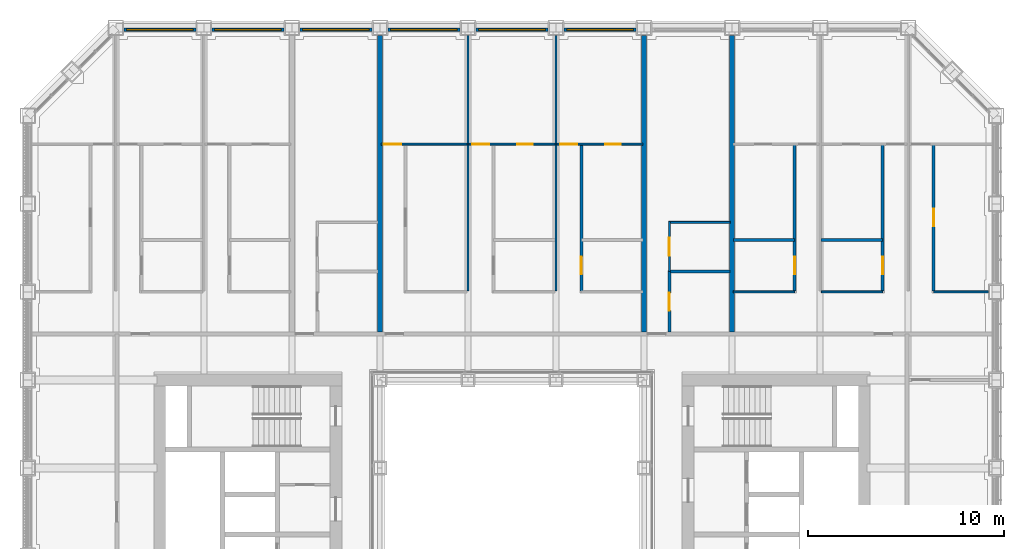
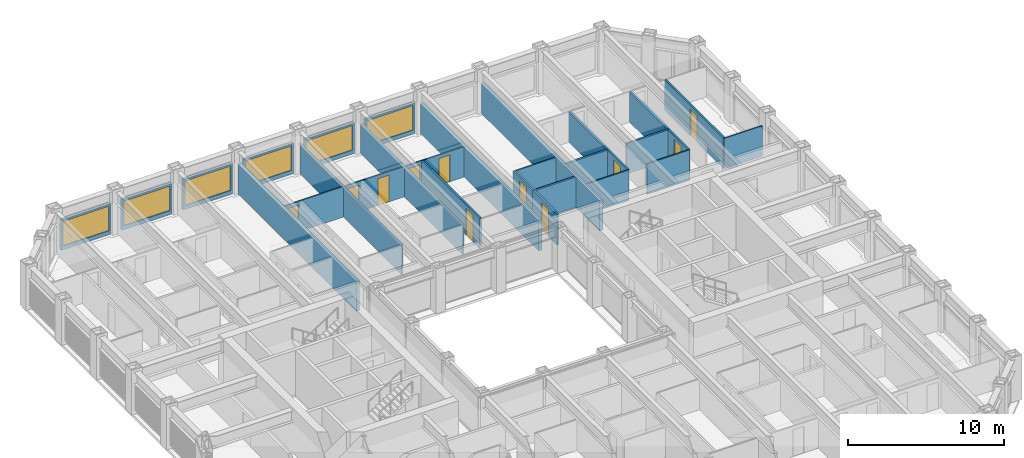
# One storey, part 14 of 20: 27 walls, 11 doors, 6 windows, 17 openings.
"""IFC4 building model written with IfcOpenShell, lengths in metres."""

from ifc_helpers import new_model, si_unit, direction, frame, frame_2d, origin, place, context, subcontext, project, spatial, rectangle, extrude, material, layer, layer_set, type_object, element, fill, save


model = new_model("IFC4")

# Units and contexts
model_context = context("Model", 3, precision=1e-05, world=origin(), true_north=direction((0.0, 1.0)))
body_context = subcontext(model_context, "Body", "Model", "MODEL_VIEW")
ifc_project = project(units=[si_unit("LENGTHUNIT", "METRE"), si_unit("AREAUNIT", "SQUARE_METRE"), si_unit("VOLUMEUNIT", "CUBIC_METRE"), si_unit("PLANEANGLEUNIT", "RADIAN"), si_unit("MASSUNIT", "GRAM", prefix="KILO")], contexts=[model_context])

# Site, building, storey
site_placement = place(None, origin())
site = spatial("IfcSite", under=ifc_project, at=site_placement, CompositionType="ELEMENT")
building_placement = place(site_placement, origin())
building = spatial("IfcBuilding", under=site, at=building_placement, Name="Msasa Ring Tower", CompositionType="ELEMENT")
storey_placement = place(building_placement, frame((0.0, 0.0, 58.0)))
storey = spatial("IfcBuildingStorey", under=building, at=storey_placement, Name="L14", CompositionType="ELEMENT", Elevation=58.0)

# Wall, opening, window
ifc_material_1 = material(Name="Terracotta rainscreen on blockwork", Category="masonry")
ifc_layer_1 = layer(ifc_material_1, 0.199951171875)
ifc_layer_set_1 = layer_set([ifc_layer_1], Name="FW1 TERRACOTTA-LINED INFILL BAY WALL 200")
wall_type_1 = type_object("IfcWallType", Name="FW1 TERRACOTTA-LINED INFILL BAY WALL 200", PredefinedType="SOLIDWALL", material=ifc_layer_set_1)
wall_1_placement = place(storey_placement, frame((-19.844970703125, 24.64990234375, 0.0), z_axis=(0.0, 0.0, 1.0), x_axis=(1.0, 0.0, 0.0)))
wall_1 = element("IfcWall", 1, at=wall_1_placement, inside=storey, type_object=wall_type_1, Name="Infill bay wall N L14 22", PredefinedType="SOLIDWALL", context=body_context, shape_type="SweptSolid", body=[
    extrude(rectangle(XDim=3.68994140625, YDim=0.199951171875, at=frame_2d((1.844970703125, 0.0))), origin(), (0.0, 0.0, 1.0), 2.37890625),
])
opening_1_placement = place(wall_1_placement, frame((0.14501953125, 0.0, 0.300048828125)))
opening_1 = element("IfcOpeningElement", 2, at=opening_1_placement, cuts=wall_1, Name="Opening WN1", PredefinedType="OPENING", context=body_context, shape_type="SweptSolid", body=[
    extrude(rectangle(XDim=3.39990234375, YDim=1.928955078125, at=frame_2d((1.699951171875, 0.96435546875))), frame((0.0, 0.10986328125, 0.0), z_axis=(0.0, -1.0, 0.0), x_axis=(1.0, 0.0, 0.0)), (0.0, 0.0, 1.0), 0.219970703125),
])
ifc_material_2 = material(Name="Aluminium frame with clear glass", Category="aluminium")
window_type = type_object("IfcWindowType", Name="WN1 RESIDENCE WINDOW 3400x1929", PartitioningType="SINGLE_PANEL", PredefinedType="WINDOW", material=ifc_material_2)
window_1_placement = place(opening_1_placement, origin())
window_1 = element("IfcWindow", 3, at=window_1_placement, inside=storey, type_object=window_type, Name="Window N L14 22", OverallHeight=1.928955078125, OverallWidth=3.39990234375, PartitioningType="SINGLE_PANEL", PredefinedType="WINDOW", context=body_context, shape_type="SweptSolid", body=[
    extrude(rectangle(XDim=3.39990234375, YDim=1.928955078125, at=frame_2d((1.699951171875, 0.96435546875))), frame((0.0, 0.030029296875, 0.0), z_axis=(0.0, -1.0, 0.0), x_axis=(1.0, 0.0, 0.0)), (0.0, 0.0, 1.0), 0.06005859375),
])
fill(opening_1, window_1)

wall_2_placement = place(storey_placement, frame((-15.344970703125, 24.64990234375, 0.0), z_axis=(0.0, 0.0, 1.0), x_axis=(1.0, 0.0, 0.0)))
wall_2 = element("IfcWall", 4, at=wall_2_placement, inside=storey, type_object=wall_type_1, Name="Infill bay wall N L14 23", PredefinedType="SOLIDWALL", context=body_context, shape_type="SweptSolid", body=[
    extrude(rectangle(XDim=3.68994140625, YDim=0.199951171875, at=frame_2d((1.844970703125, 0.0))), origin(), (0.0, 0.0, 1.0), 2.37890625),
])
opening_2_placement = place(wall_2_placement, frame((0.14501953125, 0.0, 0.300048828125)))
opening_2 = element("IfcOpeningElement", 5, at=opening_2_placement, cuts=wall_2, Name="Opening WN1", PredefinedType="OPENING", context=body_context, shape_type="SweptSolid", body=[
    extrude(rectangle(XDim=3.39990234375, YDim=1.928955078125, at=frame_2d((1.699951171875, 0.96435546875))), frame((0.0, 0.10986328125, 0.0), z_axis=(0.0, -1.0, 0.0), x_axis=(1.0, 0.0, 0.0)), (0.0, 0.0, 1.0), 0.219970703125),
])
window_2_placement = place(opening_2_placement, origin())
window_2 = element("IfcWindow", 6, at=window_2_placement, inside=storey, type_object=window_type, Name="Window N L14 23", OverallHeight=1.928955078125, OverallWidth=3.39990234375, PartitioningType="SINGLE_PANEL", PredefinedType="WINDOW", context=body_context, shape_type="SweptSolid", body=[
    extrude(rectangle(XDim=3.39990234375, YDim=1.928955078125, at=frame_2d((1.699951171875, 0.96435546875))), frame((0.0, 0.030029296875, 0.0), z_axis=(0.0, -1.0, 0.0), x_axis=(1.0, 0.0, 0.0)), (0.0, 0.0, 1.0), 0.06005859375),
])
fill(opening_2, window_2)

wall_3_placement = place(storey_placement, frame((-10.844970703125, 24.64990234375, 0.0), z_axis=(0.0, 0.0, 1.0), x_axis=(1.0, 0.0, 0.0)))
wall_3 = element("IfcWall", 7, at=wall_3_placement, inside=storey, type_object=wall_type_1, Name="Infill bay wall N L14 24", PredefinedType="SOLIDWALL", context=body_context, shape_type="SweptSolid", body=[
    extrude(rectangle(XDim=3.68994140625, YDim=0.199951171875, at=frame_2d((1.844970703125, 0.0))), origin(), (0.0, 0.0, 1.0), 2.37890625),
])
opening_3_placement = place(wall_3_placement, frame((0.14501953125, 0.0, 0.300048828125)))
opening_3 = element("IfcOpeningElement", 8, at=opening_3_placement, cuts=wall_3, Name="Opening WN1", PredefinedType="OPENING", context=body_context, shape_type="SweptSolid", body=[
    extrude(rectangle(XDim=3.39990234375, YDim=1.928955078125, at=frame_2d((1.699951171875, 0.96435546875))), frame((0.0, 0.10986328125, 0.0), z_axis=(0.0, -1.0, 0.0), x_axis=(1.0, 0.0, 0.0)), (0.0, 0.0, 1.0), 0.219970703125),
])
window_3_placement = place(opening_3_placement, origin())
window_3 = element("IfcWindow", 9, at=window_3_placement, inside=storey, type_object=window_type, Name="Window N L14 24", OverallHeight=1.928955078125, OverallWidth=3.39990234375, PartitioningType="SINGLE_PANEL", PredefinedType="WINDOW", context=body_context, shape_type="SweptSolid", body=[
    extrude(rectangle(XDim=3.39990234375, YDim=1.928955078125, at=frame_2d((1.699951171875, 0.96435546875))), frame((0.0, 0.030029296875, 0.0), z_axis=(0.0, -1.0, 0.0), x_axis=(1.0, 0.0, 0.0)), (0.0, 0.0, 1.0), 0.06005859375),
])
fill(opening_3, window_3)

wall_4_placement = place(storey_placement, frame((-6.344970703125, 24.64990234375, 0.0), z_axis=(0.0, 0.0, 1.0), x_axis=(1.0, 0.0, 0.0)))
wall_4 = element("IfcWall", 10, at=wall_4_placement, inside=storey, type_object=wall_type_1, Name="Infill bay wall N L14 25", PredefinedType="SOLIDWALL", context=body_context, shape_type="SweptSolid", body=[
    extrude(rectangle(XDim=3.68994140625, YDim=0.199951171875, at=frame_2d((1.844970703125, 0.0))), origin(), (0.0, 0.0, 1.0), 2.37890625),
])
opening_4_placement = place(wall_4_placement, frame((0.14501953125, 0.0, 0.300048828125)))
opening_4 = element("IfcOpeningElement", 11, at=opening_4_placement, cuts=wall_4, Name="Opening WN1", PredefinedType="OPENING", context=body_context, shape_type="SweptSolid", body=[
    extrude(rectangle(XDim=3.39990234375, YDim=1.928955078125, at=frame_2d((1.699951171875, 0.96435546875))), frame((0.0, 0.10986328125, 0.0), z_axis=(0.0, -1.0, 0.0), x_axis=(1.0, 0.0, 0.0)), (0.0, 0.0, 1.0), 0.219970703125),
])
window_4_placement = place(opening_4_placement, origin())
window_4 = element("IfcWindow", 12, at=window_4_placement, inside=storey, type_object=window_type, Name="Window N L14 25", OverallHeight=1.928955078125, OverallWidth=3.39990234375, PartitioningType="SINGLE_PANEL", PredefinedType="WINDOW", context=body_context, shape_type="SweptSolid", body=[
    extrude(rectangle(XDim=3.39990234375, YDim=1.928955078125, at=frame_2d((1.699951171875, 0.96435546875))), frame((0.0, 0.030029296875, 0.0), z_axis=(0.0, -1.0, 0.0), x_axis=(1.0, 0.0, 0.0)), (0.0, 0.0, 1.0), 0.06005859375),
])
fill(opening_4, window_4)

wall_5_placement = place(storey_placement, frame((-1.844970703125, 24.64990234375, 0.0), z_axis=(0.0, 0.0, 1.0), x_axis=(1.0, 0.0, 0.0)))
wall_5 = element("IfcWall", 13, at=wall_5_placement, inside=storey, type_object=wall_type_1, Name="Infill bay wall N L14 26", PredefinedType="SOLIDWALL", context=body_context, shape_type="SweptSolid", body=[
    extrude(rectangle(XDim=3.68994140625, YDim=0.199951171875, at=frame_2d((1.844970703125, 0.0))), origin(), (0.0, 0.0, 1.0), 2.37890625),
])
opening_5_placement = place(wall_5_placement, frame((0.14501953125, 0.0, 0.300048828125)))
opening_5 = element("IfcOpeningElement", 14, at=opening_5_placement, cuts=wall_5, Name="Opening WN1", PredefinedType="OPENING", context=body_context, shape_type="SweptSolid", body=[
    extrude(rectangle(XDim=3.39990234375, YDim=1.928955078125, at=frame_2d((1.699951171875, 0.96435546875))), frame((0.0, 0.10986328125, 0.0), z_axis=(0.0, -1.0, 0.0), x_axis=(1.0, 0.0, 0.0)), (0.0, 0.0, 1.0), 0.219970703125),
])
window_5_placement = place(opening_5_placement, origin())
window_5 = element("IfcWindow", 15, at=window_5_placement, inside=storey, type_object=window_type, Name="Window N L14 26", OverallHeight=1.928955078125, OverallWidth=3.39990234375, PartitioningType="SINGLE_PANEL", PredefinedType="WINDOW", context=body_context, shape_type="SweptSolid", body=[
    extrude(rectangle(XDim=3.39990234375, YDim=1.928955078125, at=frame_2d((1.699951171875, 0.96435546875))), frame((0.0, 0.030029296875, 0.0), z_axis=(0.0, -1.0, 0.0), x_axis=(1.0, 0.0, 0.0)), (0.0, 0.0, 1.0), 0.06005859375),
])
fill(opening_5, window_5)

wall_6_placement = place(storey_placement, frame((2.655029296875, 24.64990234375, 0.0), z_axis=(0.0, 0.0, 1.0), x_axis=(1.0, 0.0, 0.0)))
wall_6 = element("IfcWall", 16, at=wall_6_placement, inside=storey, type_object=wall_type_1, Name="Infill bay wall N L14 27", PredefinedType="SOLIDWALL", context=body_context, shape_type="SweptSolid", body=[
    extrude(rectangle(XDim=3.68994140625, YDim=0.199951171875, at=frame_2d((1.844970703125, 0.0))), origin(), (0.0, 0.0, 1.0), 2.37890625),
])
opening_6_placement = place(wall_6_placement, frame((0.14501953125, 0.0, 0.300048828125)))
opening_6 = element("IfcOpeningElement", 17, at=opening_6_placement, cuts=wall_6, Name="Opening WN1", PredefinedType="OPENING", context=body_context, shape_type="SweptSolid", body=[
    extrude(rectangle(XDim=3.39990234375, YDim=1.928955078125, at=frame_2d((1.699951171875, 0.96435546875))), frame((0.0, 0.10986328125, 0.0), z_axis=(0.0, -1.0, 0.0), x_axis=(1.0, 0.0, 0.0)), (0.0, 0.0, 1.0), 0.219970703125),
])
window_6_placement = place(opening_6_placement, origin())
window_6 = element("IfcWindow", 18, at=window_6_placement, inside=storey, type_object=window_type, Name="Window N L14 27", OverallHeight=1.928955078125, OverallWidth=3.39990234375, PartitioningType="SINGLE_PANEL", PredefinedType="WINDOW", context=body_context, shape_type="SweptSolid", body=[
    extrude(rectangle(XDim=3.39990234375, YDim=1.928955078125, at=frame_2d((1.699951171875, 0.96435546875))), frame((0.0, 0.030029296875, 0.0), z_axis=(0.0, -1.0, 0.0), x_axis=(1.0, 0.0, 0.0)), (0.0, 0.0, 1.0), 0.06005859375),
])
fill(opening_6, window_6)

# Wall, opening, door
ifc_material_3 = material(Name="Gypsum board on steel studs", Category="steel")
ifc_layer_2 = layer(ifc_material_3, 0.10009765625)
ifc_layer_set_2 = layer_set([ifc_layer_2], Name="PT2 STUD PARTITION 100")
wall_type_2 = type_object("IfcWallType", Name="PT2 STUD PARTITION 100", PredefinedType="PARTITIONING", material=ifc_layer_set_2)
wall_7_placement = place(storey_placement, frame((-6.68994140625, 18.800048828125, 0.0), z_axis=(0.0, 0.0, 1.0), x_axis=(1.0, 0.0, 0.0)))
wall_7 = element("IfcWall", 19, at=wall_7_placement, inside=storey, type_object=wall_type_2, Name="Partition L14-UN02SY0", PredefinedType="PARTITIONING", context=body_context, shape_type="SweptSolid", body=[
    extrude(rectangle(XDim=4.389892578125, YDim=0.10009765625, at=frame_2d((2.19482421875, 0.0))), origin(), (0.0, 0.0, 1.0), 2.373291015625),
])
opening_7_placement = place(wall_7_placement, frame((0.139892578125, 0.0, 0.0)))
opening_7 = element("IfcOpeningElement", 20, at=opening_7_placement, cuts=wall_7, Name="Opening RD-006", PredefinedType="OPENING", context=body_context, shape_type="SweptSolid", body=[
    extrude(rectangle(XDim=0.89990234375, YDim=2.10009765625, at=frame_2d((0.449951171875, 1.050048828125))), frame((0.0, 0.06005859375, 0.0), z_axis=(0.0, -1.0, 0.0), x_axis=(1.0, 0.0, 0.0)), (0.0, 0.0, 1.0), 0.1201171875),
])
ifc_material_4 = material(Name="Timber door leaf in a steel frame", Category="steel")
door_type_1 = type_object("IfcDoorType", Name="D22 INTERNAL HALL DOOR 900x2100", OperationType="SINGLE_SWING_LEFT", PredefinedType="DOOR", material=ifc_material_4)
door_1_placement = place(opening_7_placement, origin())
door_1 = element("IfcDoor", 21, at=door_1_placement, inside=storey, type_object=door_type_1, Name="Door L14-UN02L", OperationType="SINGLE_SWING_LEFT", OverallHeight=2.10009765625, OverallWidth=0.89990234375, PredefinedType="DOOR", context=body_context, shape_type="SweptSolid", body=[
    extrude(rectangle(XDim=0.89990234375, YDim=2.10009765625, at=frame_2d((0.449951171875, 1.050048828125))), frame((0.0, 0.02490234375, 0.0), z_axis=(0.0, -1.0, 0.0), x_axis=(1.0, 0.0, 0.0)), (0.0, 0.0, 1.0), 0.050048828125),
])
fill(opening_7, door_1)

# Wall
wall_8_placement = place(storey_placement, frame((-2.25, 11.300048828125, 0.0), z_axis=(0.0, 0.0, 1.0), x_axis=(0.0, 1.0, 0.0)))
element("IfcWall", 22, at=wall_8_placement, inside=storey, type_object=wall_type_2, Name="Partition L14-UN02P1", PredefinedType="PARTITIONING", context=body_context, shape_type="SweptSolid", body=[
    extrude(rectangle(XDim=13.050048828125, YDim=0.10009765625, at=frame_2d((6.52490234375, 0.0))), origin(), (0.0, 0.0, 1.0), 2.373291015625),
])

# Wall, openings, doors
wall_9_placement = place(storey_placement, frame((-2.199951171875, 18.800048828125, 0.0), z_axis=(0.0, 0.0, 1.0), x_axis=(1.0, 0.0, 0.0)))
wall_9 = element("IfcWall", 23, at=wall_9_placement, inside=storey, type_object=wall_type_2, Name="Partition L14-UN02SY1", PredefinedType="PARTITIONING", context=body_context, shape_type="SweptSolid", body=[
    extrude(rectangle(XDim=4.39990234375, YDim=0.10009765625, at=frame_2d((2.199951171875, 0.0))), origin(), (0.0, 0.0, 1.0), 2.373291015625),
])
opening_8_placement = place(wall_9_placement, frame((0.175048828125, 0.0, 0.0)))
opening_8 = element("IfcOpeningElement", 24, at=opening_8_placement, cuts=wall_9, Name="Opening RD-007", PredefinedType="OPENING", context=body_context, shape_type="SweptSolid", body=[
    extrude(rectangle(XDim=0.85009765625, YDim=2.10009765625, at=frame_2d((0.425048828125, 1.050048828125))), frame((0.0, 0.06005859375, 0.0), z_axis=(0.0, -1.0, 0.0), x_axis=(1.0, 0.0, 0.0)), (0.0, 0.0, 1.0), 0.1201171875),
])
opening_9_placement = place(wall_9_placement, frame((2.4599609375, 0.0, 0.0)))
opening_9 = element("IfcOpeningElement", 25, at=opening_9_placement, cuts=wall_9, Name="Opening RD-008", PredefinedType="OPENING", context=body_context, shape_type="SweptSolid", body=[
    extrude(rectangle(XDim=0.800048828125, YDim=2.10009765625, at=frame_2d((0.39990234375, 1.050048828125))), frame((0.0, 0.06005859375, 0.0), z_axis=(0.0, -1.0, 0.0), x_axis=(1.0, 0.0, 0.0)), (0.0, 0.0, 1.0), 0.1201171875),
])
ifc_material_5 = material(Name="Timber door leaf in a steel frame", Category="steel")
door_type_2 = type_object("IfcDoorType", Name="D14 BEDROOM DOOR 850x2100", OperationType="SINGLE_SWING_LEFT", PredefinedType="DOOR", material=ifc_material_5)
door_2_placement = place(opening_8_placement, origin())
door_2 = element("IfcDoor", 26, at=door_2_placement, inside=storey, type_object=door_type_2, Name="Door L14-UN02R1", OperationType="SINGLE_SWING_LEFT", OverallHeight=2.10009765625, OverallWidth=0.85009765625, PredefinedType="DOOR", context=body_context, shape_type="SweptSolid", body=[
    extrude(rectangle(XDim=0.85009765625, YDim=2.10009765625, at=frame_2d((0.425048828125, 1.050048828125))), frame((0.0, 0.02490234375, 0.0), z_axis=(0.0, -1.0, 0.0), x_axis=(1.0, 0.0, 0.0)), (0.0, 0.0, 1.0), 0.050048828125),
])
fill(opening_8, door_2)
ifc_material_6 = material(Name="Timber door leaf in a steel frame", Category="steel")
door_type_3 = type_object("IfcDoorType", Name="D60 DRESSING ROOM DOOR 800x2100", OperationType="SINGLE_SWING_LEFT", PredefinedType="DOOR", material=ifc_material_6)
door_3_placement = place(opening_9_placement, origin())
door_3 = element("IfcDoor", 27, at=door_3_placement, inside=storey, type_object=door_type_3, Name="Door L14-UN02W1", OperationType="SINGLE_SWING_RIGHT", OverallHeight=2.10009765625, OverallWidth=0.800048828125, PredefinedType="DOOR", context=body_context, shape_type="SweptSolid", body=[
    extrude(rectangle(XDim=0.800048828125, YDim=2.10009765625, at=frame_2d((0.39990234375, 1.050048828125))), frame((0.0, 0.02490234375, 0.0), z_axis=(0.0, -1.0, 0.0), x_axis=(1.0, 0.0, 0.0)), (0.0, 0.0, 1.0), 0.050048828125),
])
fill(opening_9, door_3)

# Wall
wall_10_placement = place(storey_placement, frame((2.25, 11.300048828125, 0.0), z_axis=(0.0, 0.0, 1.0), x_axis=(0.0, 1.0, 0.0)))
element("IfcWall", 28, at=wall_10_placement, inside=storey, type_object=wall_type_2, Name="Partition L14-UN02P2", PredefinedType="PARTITIONING", context=body_context, shape_type="SweptSolid", body=[
    extrude(rectangle(XDim=13.050048828125, YDim=0.10009765625, at=frame_2d((6.52490234375, 0.0))), origin(), (0.0, 0.0, 1.0), 2.373291015625),
])

# Wall, openings, doors
wall_11_placement = place(storey_placement, frame((2.300048828125, 18.800048828125, 0.0), z_axis=(0.0, 0.0, 1.0), x_axis=(1.0, 0.0, 0.0)))
wall_11 = element("IfcWall", 29, at=wall_11_placement, inside=storey, type_object=wall_type_2, Name="Partition L14-UN02SY2", PredefinedType="PARTITIONING", context=body_context, shape_type="SweptSolid", body=[
    extrude(rectangle(XDim=4.389892578125, YDim=0.10009765625, at=frame_2d((2.19482421875, 0.0))), origin(), (0.0, 0.0, 1.0), 2.373291015625),
])
opening_10_placement = place(wall_11_placement, frame((0.175048828125, 0.0, 0.0)))
opening_10 = element("IfcOpeningElement", 30, at=opening_10_placement, cuts=wall_11, Name="Opening RD-009", PredefinedType="OPENING", context=body_context, shape_type="SweptSolid", body=[
    extrude(rectangle(XDim=0.85009765625, YDim=2.10009765625, at=frame_2d((0.425048828125, 1.050048828125))), frame((0.0, 0.06005859375, 0.0), z_axis=(0.0, -1.0, 0.0), x_axis=(1.0, 0.0, 0.0)), (0.0, 0.0, 1.0), 0.1201171875),
])
opening_11_placement = place(wall_11_placement, frame((2.4599609375, 0.0, 0.0)))
opening_11 = element("IfcOpeningElement", 31, at=opening_11_placement, cuts=wall_11, Name="Opening RD-010", PredefinedType="OPENING", context=body_context, shape_type="SweptSolid", body=[
    extrude(rectangle(XDim=0.800048828125, YDim=2.10009765625, at=frame_2d((0.39990234375, 1.050048828125))), frame((0.0, 0.06005859375, 0.0), z_axis=(0.0, -1.0, 0.0), x_axis=(1.0, 0.0, 0.0)), (0.0, 0.0, 1.0), 0.1201171875),
])
door_4_placement = place(opening_10_placement, origin())
door_4 = element("IfcDoor", 32, at=door_4_placement, inside=storey, type_object=door_type_2, Name="Door L14-UN02R2", OperationType="SINGLE_SWING_LEFT", OverallHeight=2.10009765625, OverallWidth=0.85009765625, PredefinedType="DOOR", context=body_context, shape_type="SweptSolid", body=[
    extrude(rectangle(XDim=0.85009765625, YDim=2.10009765625, at=frame_2d((0.425048828125, 1.050048828125))), frame((0.0, 0.02490234375, 0.0), z_axis=(0.0, -1.0, 0.0), x_axis=(1.0, 0.0, 0.0)), (0.0, 0.0, 1.0), 0.050048828125),
])
fill(opening_10, door_4)
door_5_placement = place(opening_11_placement, origin())
door_5 = element("IfcDoor", 33, at=door_5_placement, inside=storey, type_object=door_type_3, Name="Door L14-UN02W2", OperationType="SINGLE_SWING_RIGHT", OverallHeight=2.10009765625, OverallWidth=0.800048828125, PredefinedType="DOOR", context=body_context, shape_type="SweptSolid", body=[
    extrude(rectangle(XDim=0.800048828125, YDim=2.10009765625, at=frame_2d((0.39990234375, 1.050048828125))), frame((0.0, 0.02490234375, 0.0), z_axis=(0.0, -1.0, 0.0), x_axis=(1.0, 0.0, 0.0)), (0.0, 0.0, 1.0), 0.050048828125),
])
fill(opening_11, door_5)

# Wall
wall_12_placement = place(storey_placement, frame((8.10009765625, 14.800048828125, 0.0), z_axis=(0.0, 0.0, 1.0), x_axis=(1.0, 0.0, 0.0)))
element("IfcWall", 34, at=wall_12_placement, inside=storey, type_object=wall_type_2, Name="Partition L14-UN03KY", PredefinedType="PARTITIONING", context=body_context, shape_type="SweptSolid", body=[
    extrude(rectangle(XDim=3.0498046875, YDim=0.10009765625, at=frame_2d((1.52490234375, 0.0))), origin(), (0.0, 0.0, 1.0), 2.373291015625),
])

# Wall, opening, door
wall_13_placement = place(storey_placement, frame((8.050048828125, 12.300048828125, 0.0), z_axis=(0.0, 0.0, 1.0), x_axis=(0.0, 1.0, 0.0)))
wall_13 = element("IfcWall", 35, at=wall_13_placement, inside=storey, type_object=wall_type_2, Name="Partition L14-UN03KX", PredefinedType="PARTITIONING", context=body_context, shape_type="SweptSolid", body=[
    extrude(rectangle(XDim=2.550048828125, YDim=0.10009765625, at=frame_2d((1.27490234375, 0.0))), origin(), (0.0, 0.0, 1.0), 2.373291015625),
])
opening_12_placement = place(wall_13_placement, frame((0.81005859375, 0.0, 0.0)))
opening_12 = element("IfcOpeningElement", 36, at=opening_12_placement, cuts=wall_13, Name="Opening RD-020", PredefinedType="OPENING", context=body_context, shape_type="SweptSolid", body=[
    extrude(rectangle(XDim=0.89990234375, YDim=2.10009765625, at=frame_2d((0.449951171875, 1.050048828125))), frame((0.0, 0.06005859375, 0.0), z_axis=(0.0, -1.0, 0.0), x_axis=(1.0, 0.0, 0.0)), (0.0, 0.0, 1.0), 0.1201171875),
])
door_6_placement = place(opening_12_placement, origin())
door_6 = element("IfcDoor", 37, at=door_6_placement, inside=storey, type_object=door_type_1, Name="Door L14-UN03K", OperationType="SINGLE_SWING_LEFT", OverallHeight=2.10009765625, OverallWidth=0.89990234375, PredefinedType="DOOR", context=body_context, shape_type="SweptSolid", body=[
    extrude(rectangle(XDim=0.89990234375, YDim=2.10009765625, at=frame_2d((0.449951171875, 1.050048828125))), frame((0.0, 0.02490234375, 0.0), z_axis=(0.0, -1.0, 0.0), x_axis=(1.0, 0.0, 0.0)), (0.0, 0.0, 1.0), 0.050048828125),
])
fill(opening_12, door_6)

# Walls
wall_14_placement = place(storey_placement, frame((21.550048828125, 11.25, 0.0), z_axis=(0.0, 0.0, 1.0), x_axis=(1.0, 0.0, 0.0)))
element("IfcWall", 38, at=wall_14_placement, inside=storey, type_object=wall_type_2, Name="Partition L14-UN04HY0", PredefinedType="PARTITIONING", context=body_context, shape_type="SweptSolid", body=[
    extrude(rectangle(XDim=2.800048828125, YDim=0.10009765625, at=frame_2d((1.39990234375, 0.0))), origin(), (0.0, 0.0, 1.0), 2.373291015625),
])
for number, where, z_axis, x_axis, name in (
    (39, (15.81005859375, 11.25, 0.0), (0.0, 0.0, 1.0), (1.0, 0.0, 0.0), "Partition L14-UN04HY1"),
    (40, (11.31005859375, 11.25, 0.0), (0.0, 0.0, 1.0), (1.0, 0.0, 0.0), "Partition L14-UN04HY2"),
):
    element("IfcWall", number, at=place(storey_placement, frame(where, z_axis=z_axis, x_axis=x_axis)), inside=storey, type_object=wall_type_2, Name=name, PredefinedType="PARTITIONING", context=body_context, shape_type="SweptSolid", body=[
        extrude(rectangle(XDim=3.139892578125, YDim=0.10009765625, at=frame_2d((1.56982421875, 0.0))), origin(), (0.0, 0.0, 1.0), 2.373291015625),
    ])
ifc_material_7 = material(Name="Dense concrete blockwork, plastered both faces", Category="masonry")
ifc_layer_3 = layer(ifc_material_7, 0.25)
ifc_layer_set_3 = layer_set([ifc_layer_3], Name="PT3 APARTMENT SEPARATING WALL 250")
wall_type_3 = type_object("IfcWallType", Name="PT3 APARTMENT SEPARATING WALL 250", PredefinedType="PARTITIONING", material=ifc_layer_set_3)
for number, where, z_axis, x_axis, name in (
    (41, (-6.75, 9.199951171875, 0.0), (0.0, 0.0, 1.0), (0.0, 1.0, 0.0), "Party wall L14-PWN-6.75"),
    (42, (6.75, 9.199951171875, 0.0), (0.0, 0.0, 1.0), (0.0, 1.0, 0.0), "Party wall L14-PWN+6.75"),
    (43, (11.25, 9.199951171875, 0.0), (0.0, 0.0, 1.0), (0.0, 1.0, 0.0), "Party wall L14-PWN+11.25"),
):
    element("IfcWall", number, at=place(storey_placement, frame(where, z_axis=z_axis, x_axis=x_axis)), inside=storey, type_object=wall_type_3, Name=name, PredefinedType="PARTITIONING", context=body_context, shape_type="SweptSolid", body=[
        extrude(rectangle(XDim=15.150146484375, YDim=0.25, at=frame_2d((7.5751953125, 0.0))), origin(), (0.0, 0.0, 1.0), 2.373291015625),
    ])

# Wall, opening, door
ifc_material_8 = material(Name="Moisture-resistant board on steel studs with a concealed cistern and pipe void, tiled", Category="steel")
ifc_layer_4 = layer(ifc_material_8, 0.14990234375)
ifc_layer_set_4 = layer_set([ifc_layer_4], Name="PT4 BATHROOM WET WALL 150")
wall_type_4 = type_object("IfcWallType", Name="PT4 BATHROOM WET WALL 150", PredefinedType="PARTITIONING", material=ifc_layer_set_4)
wall_15_placement = place(storey_placement, frame((3.550048828125, 11.300048828125, 0.0), z_axis=(0.0, 0.0, 1.0), x_axis=(0.0, 1.0, 0.0)))
wall_15 = element("IfcWall", 44, at=wall_15_placement, inside=storey, type_object=wall_type_4, Name="Partition L14-UN02SX2", PredefinedType="PARTITIONING", context=body_context, shape_type="SweptSolid", body=[
    extrude(rectangle(XDim=7.5, YDim=0.14990234375, at=frame_2d((3.75, 0.0))), origin(), (0.0, 0.0, 1.0), 2.373291015625),
])
opening_13_placement = place(wall_15_placement, frame((0.85009765625, 0.0, 0.0)))
opening_13 = element("IfcOpeningElement", 45, at=opening_13_placement, cuts=wall_15, Name="Opening RD-024", PredefinedType="OPENING", context=body_context, shape_type="SweptSolid", body=[
    extrude(rectangle(XDim=0.89990234375, YDim=2.10009765625, at=frame_2d((0.449951171875, 1.050048828125))), frame((0.0, 0.0849609375, 0.0), z_axis=(0.0, -1.0, 0.0), x_axis=(1.0, 0.0, 0.0)), (0.0, 0.0, 1.0), 0.169921875),
])
ifc_material_9 = material(Name="Timber door leaf in a steel frame", Category="steel")
door_type_4 = type_object("IfcDoorType", Name="D3 BATHROOM DOOR 900x2100", OperationType="SINGLE_SWING_LEFT", PredefinedType="DOOR", material=ifc_material_9)
door_7_placement = place(opening_13_placement, origin())
door_7 = element("IfcDoor", 46, at=door_7_placement, inside=storey, type_object=door_type_4, Name="Door L14-UN02B2", OperationType="SINGLE_SWING_LEFT", OverallHeight=2.10009765625, OverallWidth=0.89990234375, PredefinedType="DOOR", context=body_context, shape_type="SweptSolid", body=[
    extrude(rectangle(XDim=0.89990234375, YDim=2.10009765625, at=frame_2d((0.449951171875, 1.050048828125))), frame((0.0, 0.02490234375, 0.0), z_axis=(0.0, -1.0, 0.0), x_axis=(1.0, 0.0, 0.0)), (0.0, 0.0, 1.0), 0.050048828125),
])
fill(opening_13, door_7)

wall_16_placement = place(storey_placement, frame((8.050048828125, 9.199951171875, 0.0), z_axis=(0.0, 0.0, 1.0), x_axis=(0.0, 1.0, 0.0)))
wall_16 = element("IfcWall", 47, at=wall_16_placement, inside=storey, type_object=wall_type_4, Name="Partition L14-UN03BX", PredefinedType="PARTITIONING", context=body_context, shape_type="SweptSolid", body=[
    extrude(rectangle(XDim=3.150146484375, YDim=0.14990234375, at=frame_2d((1.5751953125, 0.0))), origin(), (0.0, 0.0, 1.0), 2.373291015625),
])
opening_14_placement = place(wall_16_placement, frame((1.10009765625, 0.0, 0.0)))
opening_14 = element("IfcOpeningElement", 48, at=opening_14_placement, cuts=wall_16, Name="Opening RD-028", PredefinedType="OPENING", context=body_context, shape_type="SweptSolid", body=[
    extrude(rectangle(XDim=0.89990234375, YDim=2.10009765625, at=frame_2d((0.449951171875, 1.050048828125))), frame((0.0, 0.0849609375, 0.0), z_axis=(0.0, -1.0, 0.0), x_axis=(1.0, 0.0, 0.0)), (0.0, 0.0, 1.0), 0.169921875),
])
door_8_placement = place(opening_14_placement, origin())
door_8 = element("IfcDoor", 49, at=door_8_placement, inside=storey, type_object=door_type_4, Name="Door L14-UN03B", OperationType="SINGLE_SWING_LEFT", OverallHeight=2.10009765625, OverallWidth=0.89990234375, PredefinedType="DOOR", context=body_context, shape_type="SweptSolid", body=[
    extrude(rectangle(XDim=0.89990234375, YDim=2.10009765625, at=frame_2d((0.449951171875, 1.050048828125))), frame((0.0, 0.02490234375, 0.0), z_axis=(0.0, -1.0, 0.0), x_axis=(1.0, 0.0, 0.0)), (0.0, 0.0, 1.0), 0.050048828125),
])
fill(opening_14, door_8)

# Wall
wall_17_placement = place(storey_placement, frame((8.10009765625, 12.300048828125, 0.0), z_axis=(0.0, 0.0, 1.0), x_axis=(1.0, 0.0, 0.0)))
element("IfcWall", 50, at=wall_17_placement, inside=storey, type_object=wall_type_4, Name="Partition L14-UN03BY", PredefinedType="PARTITIONING", context=body_context, shape_type="SweptSolid", body=[
    extrude(rectangle(XDim=3.0498046875, YDim=0.14990234375, at=frame_2d((1.52490234375, 0.0))), origin(), (0.0, 0.0, 1.0), 2.373291015625),
])

# Wall, opening, door
wall_18_placement = place(storey_placement, frame((21.550048828125, 11.300048828125, 0.0), z_axis=(0.0, 0.0, 1.0), x_axis=(0.0, 1.0, 0.0)))
wall_18 = element("IfcWall", 51, at=wall_18_placement, inside=storey, type_object=wall_type_4, Name="Partition L14-UN04SX0", PredefinedType="PARTITIONING", context=body_context, shape_type="SweptSolid", body=[
    extrude(rectangle(XDim=7.5, YDim=0.14990234375, at=frame_2d((3.75, 0.0))), origin(), (0.0, 0.0, 1.0), 2.373291015625),
])
opening_15_placement = place(wall_18_placement, frame((3.300048828125, 0.0, 0.0)))
opening_15 = element("IfcOpeningElement", 52, at=opening_15_placement, cuts=wall_18, Name="Opening RD-018", PredefinedType="OPENING", context=body_context, shape_type="SweptSolid", body=[
    extrude(rectangle(XDim=0.89990234375, YDim=2.10009765625, at=frame_2d((0.449951171875, 1.050048828125))), frame((0.0, 0.0849609375, 0.0), z_axis=(0.0, -1.0, 0.0), x_axis=(1.0, 0.0, 0.0)), (0.0, 0.0, 1.0), 0.169921875),
])
door_9_placement = place(opening_15_placement, origin())
door_9 = element("IfcDoor", 53, at=door_9_placement, inside=storey, type_object=door_type_1, Name="Door L14-UN04K", OperationType="SINGLE_SWING_LEFT", OverallHeight=2.10009765625, OverallWidth=0.89990234375, PredefinedType="DOOR", context=body_context, shape_type="SweptSolid", body=[
    extrude(rectangle(XDim=0.89990234375, YDim=2.10009765625, at=frame_2d((0.449951171875, 1.050048828125))), frame((0.0, 0.02490234375, 0.0), z_axis=(0.0, -1.0, 0.0), x_axis=(1.0, 0.0, 0.0)), (0.0, 0.0, 1.0), 0.050048828125),
])
fill(opening_15, door_9)

wall_19_placement = place(storey_placement, frame((18.949951171875, 11.300048828125, 0.0), z_axis=(0.0, 0.0, 1.0), x_axis=(0.0, 1.0, 0.0)))
wall_19 = element("IfcWall", 54, at=wall_19_placement, inside=storey, type_object=wall_type_4, Name="Partition L14-UN04SX1", PredefinedType="PARTITIONING", context=body_context, shape_type="SweptSolid", body=[
    extrude(rectangle(XDim=7.5, YDim=0.14990234375, at=frame_2d((3.75, 0.0))), origin(), (0.0, 0.0, 1.0), 2.373291015625),
])
opening_16_placement = place(wall_19_placement, frame((0.85009765625, 0.0, 0.0)))
opening_16 = element("IfcOpeningElement", 55, at=opening_16_placement, cuts=wall_19, Name="Opening RD-026", PredefinedType="OPENING", context=body_context, shape_type="SweptSolid", body=[
    extrude(rectangle(XDim=0.89990234375, YDim=2.10009765625, at=frame_2d((0.449951171875, 1.050048828125))), frame((0.0, 0.0849609375, 0.0), z_axis=(0.0, -1.0, 0.0), x_axis=(1.0, 0.0, 0.0)), (0.0, 0.0, 1.0), 0.169921875),
])
door_10_placement = place(opening_16_placement, origin())
door_10 = element("IfcDoor", 56, at=door_10_placement, inside=storey, type_object=door_type_4, Name="Door L14-UN04B1", OperationType="SINGLE_SWING_LEFT", OverallHeight=2.10009765625, OverallWidth=0.89990234375, PredefinedType="DOOR", context=body_context, shape_type="SweptSolid", body=[
    extrude(rectangle(XDim=0.89990234375, YDim=2.10009765625, at=frame_2d((0.449951171875, 1.050048828125))), frame((0.0, 0.02490234375, 0.0), z_axis=(0.0, -1.0, 0.0), x_axis=(1.0, 0.0, 0.0)), (0.0, 0.0, 1.0), 0.050048828125),
])
fill(opening_16, door_10)

# Wall
wall_20_placement = place(storey_placement, frame((15.800048828125, 13.89990234375, 0.0), z_axis=(0.0, 0.0, 1.0), x_axis=(1.0, 0.0, 0.0)))
element("IfcWall", 57, at=wall_20_placement, inside=storey, type_object=wall_type_4, Name="Partition L14-UN04SB1", PredefinedType="PARTITIONING", context=body_context, shape_type="SweptSolid", body=[
    extrude(rectangle(XDim=3.14990234375, YDim=0.14990234375, at=frame_2d((1.574951171875, 0.0))), origin(), (0.0, 0.0, 1.0), 2.373291015625),
])

# Wall, opening, door
wall_21_placement = place(storey_placement, frame((14.449951171875, 11.300048828125, 0.0), z_axis=(0.0, 0.0, 1.0), x_axis=(0.0, 1.0, 0.0)))
wall_21 = element("IfcWall", 58, at=wall_21_placement, inside=storey, type_object=wall_type_4, Name="Partition L14-UN04SX2", PredefinedType="PARTITIONING", context=body_context, shape_type="SweptSolid", body=[
    extrude(rectangle(XDim=7.5, YDim=0.14990234375, at=frame_2d((3.75, 0.0))), origin(), (0.0, 0.0, 1.0), 2.373291015625),
])
opening_17_placement = place(wall_21_placement, frame((0.85009765625, 0.0, 0.0)))
opening_17 = element("IfcOpeningElement", 59, at=opening_17_placement, cuts=wall_21, Name="Opening RD-025", PredefinedType="OPENING", context=body_context, shape_type="SweptSolid", body=[
    extrude(rectangle(XDim=0.89990234375, YDim=2.10009765625, at=frame_2d((0.449951171875, 1.050048828125))), frame((0.0, 0.0849609375, 0.0), z_axis=(0.0, -1.0, 0.0), x_axis=(1.0, 0.0, 0.0)), (0.0, 0.0, 1.0), 0.169921875),
])
door_11_placement = place(opening_17_placement, origin())
door_11 = element("IfcDoor", 60, at=door_11_placement, inside=storey, type_object=door_type_4, Name="Door L14-UN04B2", OperationType="SINGLE_SWING_LEFT", OverallHeight=2.10009765625, OverallWidth=0.89990234375, PredefinedType="DOOR", context=body_context, shape_type="SweptSolid", body=[
    extrude(rectangle(XDim=0.89990234375, YDim=2.10009765625, at=frame_2d((0.449951171875, 1.050048828125))), frame((0.0, 0.02490234375, 0.0), z_axis=(0.0, -1.0, 0.0), x_axis=(1.0, 0.0, 0.0)), (0.0, 0.0, 1.0), 0.050048828125),
])
fill(opening_17, door_11)

# Wall
wall_22_placement = place(storey_placement, frame((11.31005859375, 13.89990234375, 0.0), z_axis=(0.0, 0.0, 1.0), x_axis=(1.0, 0.0, 0.0)))
element("IfcWall", 61, at=wall_22_placement, inside=storey, type_object=wall_type_4, Name="Partition L14-UN04SB2", PredefinedType="PARTITIONING", context=body_context, shape_type="SweptSolid", body=[
    extrude(rectangle(XDim=3.139892578125, YDim=0.14990234375, at=frame_2d((1.56982421875, 0.0))), origin(), (0.0, 0.0, 1.0), 2.373291015625),
])

save(model, "model.ifc")
